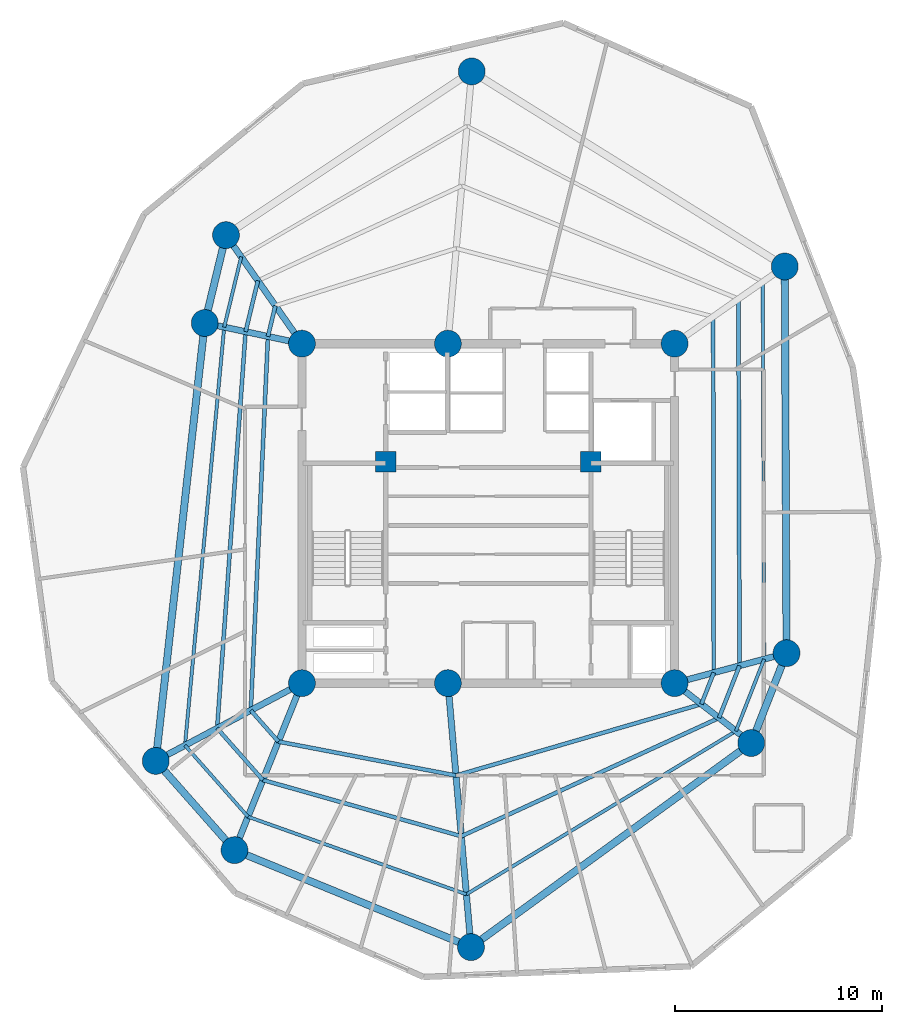
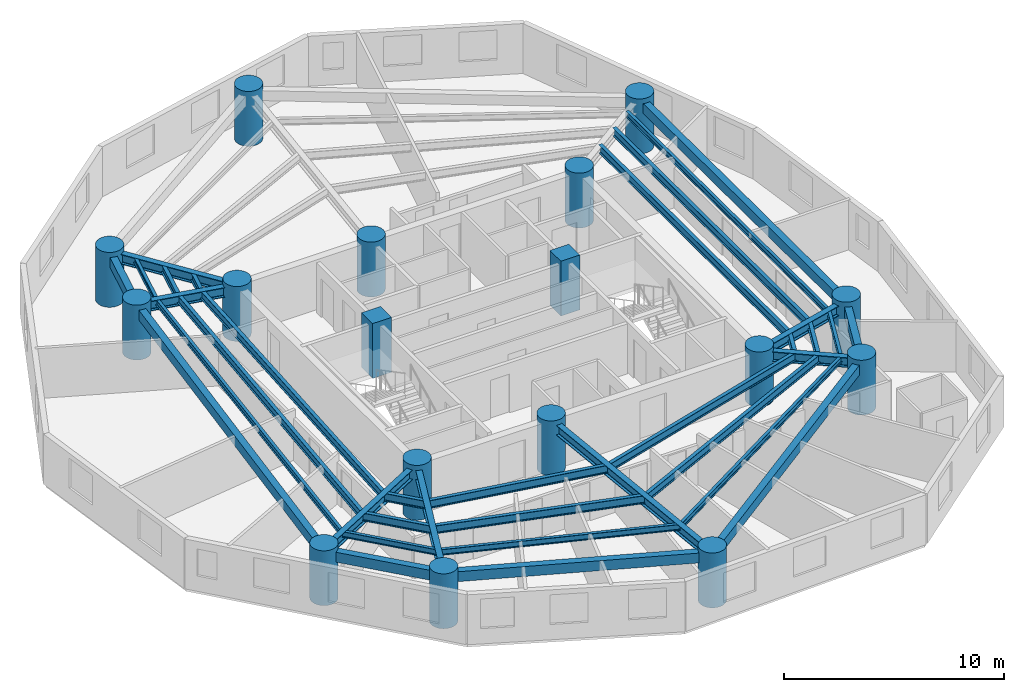
# One storey, part 1 of 7: 35 beams, 17 columns.
"""IFC4 building model written with IfcOpenShell, lengths in metres."""

import ifcopenshell
import ifcopenshell.guid

model = None  # the IFC model being written
_history = None  # IfcOwnerHistory: only IFC2X3 demands one
_inside = {}  # id of a spatial element -> (the spatial element, [elements in it])
_under = {}  # id of a project, library or spatial element -> (it, [spatial elements below it])
_declared = {}  # id of a project -> (the project, [libraries it declares])
_typed = {}  # id of a type object -> (the type object, [elements of that type])
_made_of = {}  # id of a material, layer set ... -> (it, [elements and type objects made of it])


def new_model(schema):
    """Start an empty IFC model of exactly this schema.

    Asked for "IFC4X3", IfcOpenShell would pick the latest addendum, in which some entities
    have other attributes; the version numbers below select the first issue.
    IFC2X3 requires an IfcOwnerHistory on every rooted entity: one is made here for all.
    """
    global model, _history
    if schema == "IFC4X3":
        model = ifcopenshell.file(schema_version=(4, 3, 0, 0))
    else:
        model = ifcopenshell.file(schema=schema)
    _inside.clear()
    _under.clear()
    _declared.clear()
    _typed.clear()
    _made_of.clear()
    _history = None
    if model.schema == "IFC2X3":
        org = make("IfcOrganization", Name="unknown")
        user = make(
            "IfcPersonAndOrganization",
            ThePerson=make("IfcPerson", FamilyName="unknown"),
            TheOrganization=org,
        )
        app = make(
            "IfcApplication",
            ApplicationDeveloper=org,
            Version="unknown",
            ApplicationFullName="unknown",
            ApplicationIdentifier="unknown",
        )
        _history = make(
            "IfcOwnerHistory",
            OwningUser=user,
            OwningApplication=app,
            ChangeAction="ADDED",
            CreationDate=0,
        )
    return model


def make(cls, **values):
    """One entity of the class cls with the attributes given. An attribute that is None is left unset."""
    return model.create_entity(
        cls, **{name: value for name, value in values.items() if value is not None}
    )


def rooted(cls, **values):
    """An entity with a GlobalId (a new one), such as an element, a storey or a relation."""
    return make(cls, GlobalId=ifcopenshell.guid.new(), OwnerHistory=_history, **values)


def si_unit(unit_type, name, prefix=None):
    """IfcSIUnit, for example si_unit("LENGTHUNIT", "METRE", prefix="MILLI")."""
    return make("IfcSIUnit", UnitType=unit_type, Prefix=prefix, Name=name)


def assignment(units):
    """IfcUnitAssignment: the units of a project."""
    return None if units is None else make("IfcUnitAssignment", Units=units)


def point(xyz):
    """IfcCartesianPoint."""
    return None if xyz is None else make("IfcCartesianPoint", Coordinates=xyz)


def direction(xyz):
    """IfcDirection."""
    return None if xyz is None else make("IfcDirection", DirectionRatios=xyz)


def frame(location, z_axis=None, x_axis=None):
    """IfcAxis2Placement3D, a coordinate frame: its origin and axes. An axis left out is left unset."""
    return make(
        "IfcAxis2Placement3D",
        Location=point(location),
        Axis=direction(z_axis),
        RefDirection=direction(x_axis),
    )


def frame_2d(location, x_axis=None):
    """IfcAxis2Placement2D, a coordinate frame in the plane: its origin and x axis."""
    return make(
        "IfcAxis2Placement2D", Location=point(location), RefDirection=direction(x_axis)
    )


def origin():
    """The frame at (0, 0, 0) with its axes left unset."""
    return frame((0.0, 0.0, 0.0))


def origin_with_axes():
    """The frame at (0, 0, 0) with the z axis (0, 0, 1) and the x axis (1, 0, 0) written out."""
    return frame((0.0, 0.0, 0.0), z_axis=(0.0, 0.0, 1.0), x_axis=(1.0, 0.0, 0.0))


def origin_2d():
    """The frame at (0, 0) in the plane with its x axis left unset."""
    return frame_2d((0.0, 0.0))


def place(relative_to, where):
    """IfcLocalPlacement: puts the frame where relative to a parent placement (None: the world)."""
    return make(
        "IfcLocalPlacement", PlacementRelTo=relative_to, RelativePlacement=where
    )


def context(
    kind, dimensions, precision=None, world=None, true_north=None, identifier=None
):
    """IfcGeometricRepresentationContext, for example the 3D "Model" context."""
    return make(
        "IfcGeometricRepresentationContext",
        ContextIdentifier=identifier,
        ContextType=kind,
        CoordinateSpaceDimension=dimensions,
        Precision=precision,
        WorldCoordinateSystem=world,
        TrueNorth=true_north,
    )


def subcontext(parent, identifier, kind, view, scale=None):
    """IfcGeometricRepresentationSubContext, for example "Body" below "Model"."""
    return make(
        "IfcGeometricRepresentationSubContext",
        ContextIdentifier=identifier,
        ContextType=kind,
        ParentContext=parent,
        TargetScale=scale,
        TargetView=view,
    )


def project(units=None, contexts=None):
    """IfcProject with its units and contexts."""
    return rooted(
        "IfcProject",
        Name="project",
        RepresentationContexts=contexts,
        UnitsInContext=assignment(units),
    )


def spatial(cls, under=None, at=None, **own):
    """A site, building, storey or space (cls), placed at a placement, below another one or the project."""
    s = rooted(cls, ObjectPlacement=at, **own)
    if under is not None:
        _under.setdefault(under.id(), (under, []))[1].append(s)
    return s


def profile(cls, at=None, kind="AREA", **sizes):
    """A parametric profile (cls). Its sizes go by their IFC names, for example OverallWidth=200.0."""
    return make(cls, ProfileType=kind, Position=at, **sizes)


def rectangle(**sizes):
    """IfcRectangleProfileDef."""
    return profile("IfcRectangleProfileDef", **sizes)


def circle(**sizes):
    """IfcCircleProfileDef."""
    return profile("IfcCircleProfileDef", **sizes)


def i_section(**sizes):
    """IfcIShapeProfileDef."""
    return profile("IfcIShapeProfileDef", **sizes)


def extrude(swept, where, along, depth):
    """IfcExtrudedAreaSolid: the profile swept, set in the frame where, extruded along a direction by depth."""
    return make(
        "IfcExtrudedAreaSolid",
        SweptArea=swept,
        Position=where,
        ExtrudedDirection=direction(along),
        Depth=depth,
    )


def shape(context_of_items, identifier, shape_type, items):
    """IfcShapeRepresentation: the items that make up one representation, for example the "Body"."""
    return make(
        "IfcShapeRepresentation",
        ContextOfItems=context_of_items,
        RepresentationIdentifier=identifier,
        RepresentationType=shape_type,
        Items=items,
    )


def source(mapping_origin, context_of_items, identifier, shape_type, items):
    """IfcRepresentationMap: a shape defined once, which mapped items show again and again."""
    return make(
        "IfcRepresentationMap",
        MappingOrigin=mapping_origin,
        MappedRepresentation=shape(context_of_items, identifier, shape_type, items),
    )


def transform(
    local_origin,
    x_axis=None,
    y_axis=None,
    z_axis=None,
    scale=None,
    scale2=None,
    scale3=None,
    uniform=True,
):
    """IfcCartesianTransformationOperator3D, or its non-uniform kind. x_axis, y_axis, z_axis: its Axis1, 2, 3."""
    if uniform:
        return make(
            "IfcCartesianTransformationOperator3D",
            Axis1=direction(x_axis),
            Axis2=direction(y_axis),
            LocalOrigin=point(local_origin),
            Scale=scale,
            Axis3=direction(z_axis),
        )
    return make(
        "IfcCartesianTransformationOperator3DnonUniform",
        Axis1=direction(x_axis),
        Axis2=direction(y_axis),
        LocalOrigin=point(local_origin),
        Scale=scale,
        Axis3=direction(z_axis),
        Scale2=scale2,
        Scale3=scale3,
    )


def mapped(mapping_source, mapping_target):
    """IfcMappedItem: shows the shape of a source again, moved by a transform."""
    return make(
        "IfcMappedItem", MappingSource=mapping_source, MappingTarget=mapping_target
    )


def material(Name=None, Category=None):
    """IfcMaterial."""
    return make("IfcMaterial", Name=Name, Category=Category)


def material_profile(
    of_material, cross_section, Name=None, Category=None, Priority=None
):
    """IfcMaterialProfile: a cross section and its material."""
    return make(
        "IfcMaterialProfile",
        Name=Name,
        Material=of_material,
        Profile=cross_section,
        Priority=Priority,
        Category=Category,
    )


def profile_set(profiles, Name=None, composite=None):
    """IfcMaterialProfileSet."""
    return make(
        "IfcMaterialProfileSet",
        Name=Name,
        MaterialProfiles=profiles,
        CompositeProfile=composite,
    )


def made_of(thing, what):
    """Note that an element or type object is made of a material, layer set ...; save() writes the relation."""
    if what is not None:
        _made_of.setdefault(what.id(), (what, []))[1].append(thing)
    return thing


def type_object(cls, material=None, **own):
    """A type object (cls), such as IfcWallType, which elements share."""
    return made_of(rooted(cls, **own), material)


def element(
    cls,
    number,
    at=None,
    inside=None,
    cuts=None,
    type_object=None,
    material=None,
    context=None,
    identifier="Body",
    shape_type=None,
    held_by="IfcProductDefinitionShape",
    body=None,
    shapes=None,
    **own,
):
    """One element of the class cls, such as IfcWall. Its Tag is "e" and its number.

    at: its placement. inside: the storey or other place that contains it. cuts: it is an
    opening in that element (IfcRelVoidsElement). A single representation is given by context,
    identifier, shape_type and body (its items); several are given by shapes. held_by: the class
    of the entity that holds the representations. save() writes the other relations.
    """
    e = rooted(cls, Tag="e%d" % number, ObjectPlacement=at, **own)
    if body is not None:
        shapes = [shape(context, identifier, shape_type, body)]
    if shapes is not None:
        e.Representation = make(held_by, Representations=shapes)
    if inside is not None:
        _inside.setdefault(inside.id(), (inside, []))[1].append(e)
    if cuts is not None:
        rooted(
            "IfcRelVoidsElement", RelatingBuildingElement=cuts, RelatedOpeningElement=e
        )
    if type_object is not None:
        _typed.setdefault(type_object.id(), (type_object, []))[1].append(e)
    return made_of(e, material)


def aggregate(whole, parts):
    """IfcRelAggregates: a whole, such as a stair, and the parts it consists of."""
    return rooted("IfcRelAggregates", RelatingObject=whole, RelatedObjects=parts)


def save(model, path):
    """Write the relations noted so far, then the file.

    IfcRelAggregates (storeys below a building ...), IfcRelContainedInSpatialStructure (elements
    in a storey), IfcRelDefinesByType, IfcRelAssociatesMaterial and IfcRelDeclares: one each for
    every whole, place, type object, material and project.
    """
    for whole, parts in _under.values():
        aggregate(whole, parts)
    for where, things in _inside.values():
        rooted(
            "IfcRelContainedInSpatialStructure",
            RelatedElements=things,
            RelatingStructure=where,
        )
    for kind, things in _typed.values():
        rooted("IfcRelDefinesByType", RelatedObjects=things, RelatingType=kind)
    for what, things in _made_of.values():
        rooted("IfcRelAssociatesMaterial", RelatedObjects=things, RelatingMaterial=what)
    for by, libraries in _declared.values():
        rooted("IfcRelDeclares", RelatingContext=by, RelatedDefinitions=libraries)
    model.write(path)


model = new_model("IFC4")

# Units and contexts
model_context = context("Model", 3, precision=1e-05, world=origin(), true_north=direction((0.0, 1.0)))
body_context = subcontext(model_context, "Body", "Model", "MODEL_VIEW")
ifc_project = project(units=[si_unit("LENGTHUNIT", "METRE"), si_unit("AREAUNIT", "SQUARE_METRE"), si_unit("VOLUMEUNIT", "CUBIC_METRE"), si_unit("PLANEANGLEUNIT", "RADIAN"), si_unit("MASSUNIT", "GRAM", prefix="KILO")], contexts=[model_context])

# Site, building, storey
site_placement = place(None, origin())
site = spatial("IfcSite", under=ifc_project, at=site_placement, CompositionType="ELEMENT")
building_placement = place(site_placement, origin())
building = spatial("IfcBuilding", under=site, at=building_placement, Name="Karkom Vertical University and Central Library", CompositionType="ELEMENT")
storey_placement = place(building_placement, frame((0.0, 0.0, 205.35009765625)))
storey = spatial("IfcBuildingStorey", under=building, at=storey_placement, Name="L60", CompositionType="ELEMENT", Elevation=205.35009765625)

# Columns
ifc_material_1 = material(Name="Concrete C50/60", Category="concrete")
ifc_material_profile_1 = material_profile(ifc_material_1, circle(Radius=0.64990234375, at=origin_2d()), Name="CFT-D1300")
ifc_profile_set_1 = profile_set([ifc_material_profile_1], Name="Concrete C50/60")
column_type_1 = type_object("IfcColumnType", Name="STR-COL-C-SC4", PredefinedType="COLUMN", material=ifc_profile_set_1)
shared_shape_1 = source(origin_with_axes(), body_context, "Body", "SweptSolid", [
    extrude(circle(Radius=0.64990234375, at=origin_2d()), origin(), (0.0, 0.0, 1.0), 3.0498046875),
])
for number, where, z_axis, x_axis, name in (
    (1, (19.5, 18.300048828125, 0.0), (0.0, 0.0, 1.0), (1.0, 0.0, 0.0), "Level 60 Spine Mega-Column SC-1"),
    (2, (26.550048828125, 18.300048828125, 0.0), (0.0, 0.0, 1.0), (1.0, 0.0, 0.0), "Level 60 Spine Mega-Column SC-2"),
    (3, (37.5, 18.300048828125, 0.0), (0.0, 0.0, 1.0), (1.0, 0.0, 0.0), "Level 60 Spine Mega-Column SC-3"),
    (4, (19.5, 34.699951171875, 0.0), (0.0, 0.0, 1.0), (1.0, 0.0, 0.0), "Level 60 Spine Mega-Column SC-4"),
    (5, (26.550048828125, 34.699951171875, 0.0), (0.0, 0.0, 1.0), (1.0, 0.0, 0.0), "Level 60 Spine Mega-Column SC-5"),
    (6, (37.5, 34.699951171875, 0.0), (0.0, 0.0, 1.0), (1.0, 0.0, 0.0), "Level 60 Spine Mega-Column SC-6"),
    (7, (42.908935546875, 19.7490234375, 0.0), (0.0, 0.0, 1.0), (1.0, 0.0, 0.0), "Level 60 Perimeter Mega-Column Z3-PC1"),
    (8, (42.823974609375, 38.427978515625, 0.0), (0.0, 0.0, 1.0), (1.0, 0.0, 0.0), "Level 60 Perimeter Mega-Column Z3-PC2"),
    (9, (27.699951171875, 47.85009765625, 0.0), (0.0, 0.0, 1.0), (1.0, 0.0, 0.0), "Level 60 Perimeter Mega-Column Z3-PC3"),
    (10, (15.8291015625, 39.943115234375, 0.0), (0.0, 0.0, 1.0), (1.0, 0.0, 0.0), "Level 60 Perimeter Mega-Column Z3-PC4"),
    (11, (14.804931640625, 35.697998046875, 0.0), (0.0, 0.0, 1.0), (1.0, 0.0, 0.0), "Level 60 Perimeter Mega-Column Z3-PC5"),
    (12, (12.43603515625, 14.5439453125, 0.0), (0.0, 0.0, 1.0), (1.0, 0.0, 0.0), "Level 60 Perimeter Mega-Column Z3-PC6"),
    (13, (16.240966796875, 10.23388671875, 0.0), (0.0, 0.0, 1.0), (1.0, 0.0, 0.0), "Level 60 Perimeter Mega-Column Z3-PC7"),
    (14, (27.666015625, 5.549072265625, 0.0), (0.0, 0.0, 1.0), (1.0, 0.0, 0.0), "Level 60 Perimeter Mega-Column Z3-PC8"),
    (15, (41.2041015625, 15.406005859375, 0.0), (0.0, 0.0, 1.0), (1.0, 0.0, 0.0), "Level 60 Perimeter Mega-Column Z3-PC9"),
):
    element("IfcColumn", number, at=place(storey_placement, frame(where, z_axis=z_axis, x_axis=x_axis)), inside=storey, type_object=column_type_1, Name=name, PredefinedType="COLUMN", context=body_context, shape_type="MappedRepresentation", body=[
        mapped(shared_shape_1, transform((0.0, 0.0, 0.0), scale=1.0)),
    ])
ifc_material_profile_2 = material_profile(ifc_material_1, rectangle(XDim=1.0, YDim=1.0, at=origin_2d()), Name="RC-1000x1000")
ifc_profile_set_2 = profile_set([ifc_material_profile_2], Name="Concrete C50/60")
column_type_2 = type_object("IfcColumnType", Name="STR-COL-C-CC2", PredefinedType="COLUMN", material=ifc_profile_set_2)
shared_shape_2 = source(origin_with_axes(), body_context, "Body", "SweptSolid", [
    extrude(rectangle(XDim=1.0, YDim=1.0, at=origin_2d()), origin(), (0.0, 0.0, 1.0), 3.0498046875),
])
for number, where, z_axis, x_axis, name in (
    (16, (23.550048828125, 29.0, 0.0), (0.0, 0.0, 1.0), (1.0, 0.0, 0.0), "Level 60 Core Node Column CC-1"),
    (17, (33.449951171875, 29.0, 0.0), (0.0, 0.0, 1.0), (1.0, 0.0, 0.0), "Level 60 Core Node Column CC-2"),
):
    element("IfcColumn", number, at=place(storey_placement, frame(where, z_axis=z_axis, x_axis=x_axis)), inside=storey, type_object=column_type_2, Name=name, PredefinedType="COLUMN", context=body_context, shape_type="MappedRepresentation", body=[
        mapped(shared_shape_2, transform((0.0, 0.0, 0.0), scale=1.0)),
    ])

# Beams
ifc_material_2 = material(Name="Precast concrete C45/55", Category="concrete")
ifc_material_profile_3 = material_profile(ifc_material_2, rectangle(XDim=0.35009765625, YDim=0.550048828125, at=origin_2d()), Name="SPB-350x550")
ifc_profile_set_3 = profile_set([ifc_material_profile_3], Name="Precast concrete C45/55")
beam_type_1 = type_object("IfcBeamType", Name="STR-BM-SP-2", PredefinedType="SPANDREL", material=ifc_profile_set_3)
shared_shape_3 = source(origin_with_axes(), body_context, "Body", "SweptSolid", [
    extrude(rectangle(XDim=0.35009765625, YDim=0.550048828125, at=origin_2d()), origin(), (0.0, 0.0, 1.0), 18.67919921875),
])
beam_1_placement = place(storey_placement, frame((42.908935546875, 19.7490234375, 2.5), z_axis=(-0.004548437442, 0.999989655805, 0.0), x_axis=(-0.999989655805, -0.004548437442, 0.0)))
element("IfcBeam", 18, at=beam_1_placement, inside=storey, type_object=beam_type_1, Name="Level 60 Perimeter Spandrel Beam 01", PredefinedType="SPANDREL", context=body_context, shape_type="MappedRepresentation", body=[
    mapped(shared_shape_3, transform((0.0, 0.0, 0.0), scale=1.0)),
])
shared_shape_4 = source(origin_with_axes(), body_context, "Body", "SweptSolid", [
    extrude(rectangle(XDim=0.35009765625, YDim=0.550048828125, at=origin_2d()), origin(), (0.0, 0.0, 1.0), 4.366943359375),
])
beam_2_placement = place(storey_placement, frame((15.8291015625, 39.943115234375, 2.5), z_axis=(-0.234529408772, -0.972109024966, 0.0), x_axis=(0.972109024966, -0.234529408772, 0.0)))
element("IfcBeam", 19, at=beam_2_placement, inside=storey, type_object=beam_type_1, Name="Level 60 Perimeter Spandrel Beam 04", PredefinedType="SPANDREL", context=body_context, shape_type="MappedRepresentation", body=[
    mapped(shared_shape_4, transform((0.0, 0.0, 0.0), scale=1.0)),
])
shared_shape_5 = source(origin_with_axes(), body_context, "Body", "SweptSolid", [
    extrude(rectangle(XDim=0.35009765625, YDim=0.550048828125, at=origin_2d()), origin(), (0.0, 0.0, 1.0), 21.286376953125),
])
beam_3_placement = place(storey_placement, frame((14.804931640625, 35.697998046875, 2.5), z_axis=(-0.111287493264, -0.993788254028, 0.0), x_axis=(0.993788254028, -0.111287493264, 0.0)))
element("IfcBeam", 20, at=beam_3_placement, inside=storey, type_object=beam_type_1, Name="Level 60 Perimeter Spandrel Beam 05", PredefinedType="SPANDREL", context=body_context, shape_type="MappedRepresentation", body=[
    mapped(shared_shape_5, transform((0.0, 0.0, 0.0), scale=1.0)),
])
shared_shape_6 = source(origin_with_axes(), body_context, "Body", "SweptSolid", [
    extrude(rectangle(XDim=0.35009765625, YDim=0.550048828125, at=origin_2d()), origin(), (0.0, 0.0, 1.0), 5.749267578125),
])
beam_4_placement = place(storey_placement, frame((12.43603515625, 14.5439453125, 2.5), z_axis=(0.661811219671, -0.74967053398, 0.0), x_axis=(0.74967053398, 0.661811219671, 0.0)))
element("IfcBeam", 21, at=beam_4_placement, inside=storey, type_object=beam_type_1, Name="Level 60 Perimeter Spandrel Beam 06", PredefinedType="SPANDREL", context=body_context, shape_type="MappedRepresentation", body=[
    mapped(shared_shape_6, transform((0.0, 0.0, 0.0), scale=1.0)),
])
shared_shape_7 = source(origin_with_axes(), body_context, "Body", "SweptSolid", [
    extrude(rectangle(XDim=0.35009765625, YDim=0.550048828125, at=origin_2d()), origin(), (0.0, 0.0, 1.0), 12.34814453125),
])
beam_5_placement = place(storey_placement, frame((16.240966796875, 10.23388671875, 2.5), z_axis=(0.925236428984, -0.37939102583, 0.0), x_axis=(0.37939102583, 0.925236428984, 0.0)))
element("IfcBeam", 22, at=beam_5_placement, inside=storey, type_object=beam_type_1, Name="Level 60 Perimeter Spandrel Beam 07", PredefinedType="SPANDREL", context=body_context, shape_type="MappedRepresentation", body=[
    mapped(shared_shape_7, transform((0.0, 0.0, 0.0), scale=1.0)),
])
shared_shape_8 = source(origin_with_axes(), body_context, "Body", "SweptSolid", [
    extrude(rectangle(XDim=0.35009765625, YDim=0.550048828125, at=origin_2d()), origin(), (0.0, 0.0, 1.0), 16.746337890625),
])
beam_6_placement = place(storey_placement, frame((27.666015625, 5.549072265625, 2.5), z_axis=(0.808422013284, 0.588603303115, 0.0), x_axis=(-0.588603303115, 0.808422013284, 0.0)))
element("IfcBeam", 23, at=beam_6_placement, inside=storey, type_object=beam_type_1, Name="Level 60 Perimeter Spandrel Beam 08", PredefinedType="SPANDREL", context=body_context, shape_type="MappedRepresentation", body=[
    mapped(shared_shape_8, transform((0.0, 0.0, 0.0), scale=1.0)),
])
shared_shape_9 = source(origin_with_axes(), body_context, "Body", "SweptSolid", [
    extrude(rectangle(XDim=0.35009765625, YDim=0.550048828125, at=origin_2d()), origin(), (0.0, 0.0, 1.0), 4.66552734375),
])
beam_7_placement = place(storey_placement, frame((41.2041015625, 15.406005859375, 2.5), z_axis=(0.365401419454, 0.930850043058, 0.0), x_axis=(-0.930850043058, 0.365401419454, 0.0)))
element("IfcBeam", 24, at=beam_7_placement, inside=storey, type_object=beam_type_1, Name="Level 60 Perimeter Spandrel Beam 09", PredefinedType="SPANDREL", context=body_context, shape_type="MappedRepresentation", body=[
    mapped(shared_shape_9, transform((0.0, 0.0, 0.0), scale=1.0)),
])
ifc_material_3 = material(Name="Steel S355", Category="steel")
ifc_material_profile_4 = material_profile(ifc_material_3, i_section(OverallWidth=0.18994140625, OverallDepth=0.449951171875, WebThickness=0.009521484375, FlangeThickness=0.0146484375, FilletRadius=0.02099609375, at=origin_2d()), Name="IPE 450")
ifc_profile_set_4 = profile_set([ifc_material_profile_4], Name="Steel S355")
beam_type_2 = type_object("IfcBeamType", Name="STR-BM-SB-IPE450", PredefinedType="BEAM", material=ifc_profile_set_4)
shared_shape_10 = source(origin_with_axes(), body_context, "Body", "SweptSolid", [
    extrude(i_section(OverallWidth=0.18994140625, OverallDepth=0.449951171875, WebThickness=0.009521484375, FlangeThickness=0.0146484375, FilletRadius=0.02099609375, at=origin_2d()), origin(), (0.0, 0.0, 1.0), 17.19775390625),
])
beam_8_placement = place(storey_placement, frame((39.39306640625, 18.80712890625, 2.5498046875), z_axis=(-0.001731918699, 0.999998500228, 0.0), x_axis=(-0.999998500228, -0.001731918699, 0.0)))
element("IfcBeam", 25, at=beam_8_placement, inside=storey, type_object=beam_type_2, Name="Level 60 Secondary Composite Floor Beam 1.01", PredefinedType="BEAM", context=body_context, shape_type="MappedRepresentation", body=[
    mapped(shared_shape_10, transform((0.0, 0.0, 0.0), scale=1.0)),
])
shared_shape_11 = source(origin_with_axes(), body_context, "Body", "SweptSolid", [
    extrude(i_section(OverallWidth=0.18994140625, OverallDepth=0.449951171875, WebThickness=0.009521484375, FlangeThickness=0.0146484375, FilletRadius=0.02099609375, at=origin_2d()), origin(), (0.0, 0.0, 1.0), 1.5283203125),
])
beam_9_placement = place(storey_placement, frame((18.215087890625, 36.534912109375, 2.5498046875), z_axis=(-0.234520804587, -0.972111100757, 0.0), x_axis=(0.972111100757, -0.234520804587, 0.0)))
element("IfcBeam", 26, at=beam_9_placement, inside=storey, type_object=beam_type_2, Name="Level 60 Secondary Composite Floor Beam 1.04", PredefinedType="BEAM", context=body_context, shape_type="MappedRepresentation", body=[
    mapped(shared_shape_11, transform((0.0, 0.0, 0.0), scale=1.0)),
])
shared_shape_12 = source(origin_with_axes(), body_context, "Body", "SweptSolid", [
    extrude(i_section(OverallWidth=0.18994140625, OverallDepth=0.449951171875, WebThickness=0.009521484375, FlangeThickness=0.0146484375, FilletRadius=0.02099609375, at=origin_2d()), origin(), (0.0, 0.0, 1.0), 18.0830078125),
])
beam_10_placement = place(storey_placement, frame((17.856689453125, 35.04931640625, 2.5498046875), z_axis=(-0.04584982532, -0.998948343769, 0.0), x_axis=(0.998948343769, -0.04584982532, 0.0)))
element("IfcBeam", 27, at=beam_10_placement, inside=storey, type_object=beam_type_2, Name="Level 60 Secondary Composite Floor Beam 1.05", PredefinedType="BEAM", context=body_context, shape_type="MappedRepresentation", body=[
    mapped(shared_shape_12, transform((0.0, 0.0, 0.0), scale=1.0)),
])
shared_shape_13 = source(origin_with_axes(), body_context, "Body", "SweptSolid", [
    extrude(i_section(OverallWidth=0.18994140625, OverallDepth=0.449951171875, WebThickness=0.009521484375, FlangeThickness=0.0146484375, FilletRadius=0.02099609375, at=origin_2d()), origin(), (0.0, 0.0, 1.0), 2.01220703125),
])
beam_11_placement = place(storey_placement, frame((17.027587890625, 16.9853515625, 2.5498046875), z_axis=(0.661822246424, -0.749660799387, 0.0), x_axis=(0.749660799387, 0.661822246424, 0.0)))
element("IfcBeam", 28, at=beam_11_placement, inside=storey, type_object=beam_type_2, Name="Level 60 Secondary Composite Floor Beam 1.06", PredefinedType="BEAM", context=body_context, shape_type="MappedRepresentation", body=[
    mapped(shared_shape_13, transform((0.0, 0.0, 0.0), scale=1.0)),
])
shared_shape_14 = source(origin_with_axes(), body_context, "Body", "SweptSolid", [
    extrude(i_section(OverallWidth=0.18994140625, OverallDepth=0.449951171875, WebThickness=0.009521484375, FlangeThickness=0.0146484375, FilletRadius=0.02099609375, at=origin_2d()), origin(), (0.0, 0.0, 1.0), 8.736572265625),
])
beam_12_placement = place(storey_placement, frame((18.359375, 15.476806640625, 2.5498046875), z_axis=(0.982230782932, -0.187677087205, 0.0), x_axis=(0.187677087205, 0.982230782932, 0.0)))
element("IfcBeam", 29, at=beam_12_placement, inside=storey, type_object=beam_type_2, Name="Level 60 Secondary Composite Floor Beam 1.07", PredefinedType="BEAM", context=body_context, shape_type="MappedRepresentation", body=[
    mapped(shared_shape_14, transform((0.0, 0.0, 0.0), scale=1.0)),
])
shared_shape_15 = source(origin_with_axes(), body_context, "Body", "SweptSolid", [
    extrude(i_section(OverallWidth=0.18994140625, OverallDepth=0.449951171875, WebThickness=0.009521484375, FlangeThickness=0.0146484375, FilletRadius=0.02099609375, at=origin_2d()), origin(), (0.0, 0.0, 1.0), 12.347412109375),
])
beam_13_placement = place(storey_placement, frame((26.940673828125, 13.837158203125, 2.5498046875), z_axis=(0.960173212987, 0.279405442077, 0.0), x_axis=(-0.279405442077, 0.960173212987, 0.0)))
element("IfcBeam", 30, at=beam_13_placement, inside=storey, type_object=beam_type_2, Name="Level 60 Secondary Composite Floor Beam 1.08", PredefinedType="BEAM", context=body_context, shape_type="MappedRepresentation", body=[
    mapped(shared_shape_15, transform((0.0, 0.0, 0.0), scale=1.0)),
])
shared_shape_16 = source(origin_with_axes(), body_context, "Body", "SweptSolid", [
    extrude(i_section(OverallWidth=0.18994140625, OverallDepth=0.449951171875, WebThickness=0.009521484375, FlangeThickness=0.0146484375, FilletRadius=0.02099609375, at=origin_2d()), origin(), (0.0, 0.0, 1.0), 1.633056640625),
])
beam_14_placement = place(storey_placement, frame((38.79638671875, 17.287109375, 2.5498046875), z_axis=(0.365402570083, 0.930849591382, 0.0), x_axis=(-0.930849591382, 0.365402570083, 0.0)))
element("IfcBeam", 31, at=beam_14_placement, inside=storey, type_object=beam_type_2, Name="Level 60 Secondary Composite Floor Beam 1.09", PredefinedType="BEAM", context=body_context, shape_type="MappedRepresentation", body=[
    mapped(shared_shape_16, transform((0.0, 0.0, 0.0), scale=1.0)),
])
shared_shape_17 = source(origin_with_axes(), body_context, "Body", "SweptSolid", [
    extrude(i_section(OverallWidth=0.18994140625, OverallDepth=0.449951171875, WebThickness=0.009521484375, FlangeThickness=0.0146484375, FilletRadius=0.02099609375, at=origin_2d()), origin(), (0.0, 0.0, 1.0), 17.721923828125),
])
beam_15_placement = place(storey_placement, frame((40.63720703125, 19.140380859375, 2.5498046875), z_axis=(-0.002782780006, 0.99999612806, 0.0), x_axis=(-0.99999612806, -0.002782780006, 0.0)))
element("IfcBeam", 32, at=beam_15_placement, inside=storey, type_object=beam_type_2, Name="Level 60 Secondary Composite Floor Beam 2.01", PredefinedType="BEAM", context=body_context, shape_type="MappedRepresentation", body=[
    mapped(shared_shape_17, transform((0.0, 0.0, 0.0), scale=1.0)),
])
shared_shape_18 = source(origin_with_axes(), body_context, "Body", "SweptSolid", [
    extrude(i_section(OverallWidth=0.18994140625, OverallDepth=0.449951171875, WebThickness=0.009521484375, FlangeThickness=0.0146484375, FilletRadius=0.02099609375, at=origin_2d()), origin(), (0.0, 0.0, 1.0), 2.53271484375),
])
beam_16_placement = place(storey_placement, frame((17.370849609375, 37.740966796875, 2.5498046875), z_axis=(-0.234521178828, -0.972111010472, 0.0), x_axis=(0.972111010472, -0.234521178828, 0.0)))
element("IfcBeam", 33, at=beam_16_placement, inside=storey, type_object=beam_type_2, Name="Level 60 Secondary Composite Floor Beam 2.04", PredefinedType="BEAM", context=body_context, shape_type="MappedRepresentation", body=[
    mapped(shared_shape_18, transform((0.0, 0.0, 0.0), scale=1.0)),
])
shared_shape_19 = source(origin_with_axes(), body_context, "Body", "SweptSolid", [
    extrude(i_section(OverallWidth=0.18994140625, OverallDepth=0.449951171875, WebThickness=0.009521484375, FlangeThickness=0.0146484375, FilletRadius=0.02099609375, at=origin_2d()), origin(), (0.0, 0.0, 1.0), 19.20654296875),
])
beam_17_placement = place(storey_placement, frame((16.77685546875, 35.27880859375, 2.5498046875), z_axis=(-0.071539731632, -0.997437750839, 0.0), x_axis=(0.997437750839, -0.071539731632, 0.0)))
element("IfcBeam", 34, at=beam_17_placement, inside=storey, type_object=beam_type_2, Name="Level 60 Secondary Composite Floor Beam 2.05", PredefinedType="BEAM", context=body_context, shape_type="MappedRepresentation", body=[
    mapped(shared_shape_19, transform((0.0, 0.0, 0.0), scale=1.0)),
])
shared_shape_20 = source(origin_with_axes(), body_context, "Body", "SweptSolid", [
    extrude(i_section(OverallWidth=0.18994140625, OverallDepth=0.449951171875, WebThickness=0.009521484375, FlangeThickness=0.0146484375, FilletRadius=0.02099609375, at=origin_2d()), origin(), (0.0, 0.0, 1.0), 3.334716796875),
])
beam_18_placement = place(storey_placement, frame((15.40283203125, 16.12158203125, 2.5498046875), z_axis=(0.661815321502, -0.749666912852, 0.0), x_axis=(0.749666912852, 0.661815321502, 0.0)))
element("IfcBeam", 35, at=beam_18_placement, inside=storey, type_object=beam_type_2, Name="Level 60 Secondary Composite Floor Beam 2.06", PredefinedType="BEAM", context=body_context, shape_type="MappedRepresentation", body=[
    mapped(shared_shape_20, transform((0.0, 0.0, 0.0), scale=1.0)),
])
shared_shape_21 = source(origin_with_axes(), body_context, "Body", "SweptSolid", [
    extrude(i_section(OverallWidth=0.18994140625, OverallDepth=0.449951171875, WebThickness=0.009521484375, FlangeThickness=0.0146484375, FilletRadius=0.02099609375, at=origin_2d()), origin(), (0.0, 0.0, 1.0), 9.965087890625),
])
beam_19_placement = place(storey_placement, frame((17.60986328125, 13.62158203125, 2.5498046875), z_axis=(0.962104232935, -0.272681948372, 0.0), x_axis=(0.272681948372, 0.962104232935, 0.0)))
element("IfcBeam", 36, at=beam_19_placement, inside=storey, type_object=beam_type_2, Name="Level 60 Secondary Composite Floor Beam 2.07", PredefinedType="BEAM", context=body_context, shape_type="MappedRepresentation", body=[
    mapped(shared_shape_21, transform((0.0, 0.0, 0.0), scale=1.0)),
])
shared_shape_22 = source(origin_with_axes(), body_context, "Body", "SweptSolid", [
    extrude(i_section(OverallWidth=0.18994140625, OverallDepth=0.449951171875, WebThickness=0.009521484375, FlangeThickness=0.0146484375, FilletRadius=0.02099609375, at=origin_2d()), origin(), (0.0, 0.0, 1.0), 13.700927734375),
])
beam_20_placement = place(storey_placement, frame((27.197265625, 10.904296875, 2.5498046875), z_axis=(0.908771280691, 0.417294571486, 0.0), x_axis=(-0.417294571486, 0.908771280691, 0.0)))
element("IfcBeam", 37, at=beam_20_placement, inside=storey, type_object=beam_type_2, Name="Level 60 Secondary Composite Floor Beam 2.08", PredefinedType="BEAM", context=body_context, shape_type="MappedRepresentation", body=[
    mapped(shared_shape_22, transform((0.0, 0.0, 0.0), scale=1.0)),
])
shared_shape_23 = source(origin_with_axes(), body_context, "Body", "SweptSolid", [
    extrude(i_section(OverallWidth=0.18994140625, OverallDepth=0.449951171875, WebThickness=0.009521484375, FlangeThickness=0.0146484375, FilletRadius=0.02099609375, at=origin_2d()), origin(), (0.0, 0.0, 1.0), 2.7060546875),
])
beam_21_placement = place(storey_placement, frame((39.648193359375, 16.62158203125, 2.5498046875), z_axis=(0.365487674906, 0.930816179217, 0.0), x_axis=(-0.930816179217, 0.365487674906, 0.0)))
element("IfcBeam", 38, at=beam_21_placement, inside=storey, type_object=beam_type_2, Name="Level 60 Secondary Composite Floor Beam 2.09", PredefinedType="BEAM", context=body_context, shape_type="MappedRepresentation", body=[
    mapped(shared_shape_23, transform((0.0, 0.0, 0.0), scale=1.0)),
])
ifc_material_profile_5 = material_profile(ifc_material_3, i_section(OverallWidth=0.159912109375, OverallDepth=0.330078125, WebThickness=0.007568359375, FlangeThickness=0.011474609375, FilletRadius=0.01806640625, at=origin_2d()), Name="IPE 330")
ifc_profile_set_5 = profile_set([ifc_material_profile_5], Name="Steel S355")
beam_type_3 = type_object("IfcBeamType", Name="STR-BM-SB-IPE330", PredefinedType="BEAM", material=ifc_profile_set_5)
shared_shape_24 = source(origin_with_axes(), body_context, "Body", "SweptSolid", [
    extrude(i_section(OverallWidth=0.159912109375, OverallDepth=0.330078125, WebThickness=0.007568359375, FlangeThickness=0.011474609375, FilletRadius=0.01806640625, at=origin_2d()), origin(), (0.0, 0.0, 1.0), 18.223388671875),
])
beam_22_placement = place(storey_placement, frame((41.8271484375, 19.459228515625, 2.60986328125), z_axis=(-0.003724418851, 0.999993064328, 0.0), x_axis=(-0.999993064328, -0.003724418851, 0.0)))
element("IfcBeam", 39, at=beam_22_placement, inside=storey, type_object=beam_type_3, Name="Level 60 Secondary Composite Floor Beam 3.01", PredefinedType="BEAM", context=body_context, shape_type="MappedRepresentation", body=[
    mapped(shared_shape_24, transform((0.0, 0.0, 0.0), scale=1.0)),
])
shared_shape_25 = source(origin_with_axes(), body_context, "Body", "SweptSolid", [
    extrude(i_section(OverallWidth=0.159912109375, OverallDepth=0.330078125, WebThickness=0.007568359375, FlangeThickness=0.011474609375, FilletRadius=0.01806640625, at=origin_2d()), origin(), (0.0, 0.0, 1.0), 3.493408203125),
])
beam_23_placement = place(storey_placement, frame((16.563232421875, 38.894287109375, 2.60986328125), z_axis=(-0.234535781995, -0.972107487351, 0.0), x_axis=(0.972107487351, -0.234535781995, 0.0)))
element("IfcBeam", 40, at=beam_23_placement, inside=storey, type_object=beam_type_3, Name="Level 60 Secondary Composite Floor Beam 3.04", PredefinedType="BEAM", context=body_context, shape_type="MappedRepresentation", body=[
    mapped(shared_shape_25, transform((0.0, 0.0, 0.0), scale=1.0)),
])
shared_shape_26 = source(origin_with_axes(), body_context, "Body", "SweptSolid", [
    extrude(i_section(OverallWidth=0.159912109375, OverallDepth=0.330078125, WebThickness=0.007568359375, FlangeThickness=0.011474609375, FilletRadius=0.01806640625, at=origin_2d()), origin(), (0.0, 0.0, 1.0), 20.291748046875),
])
beam_24_placement = place(storey_placement, frame((15.743896484375, 35.498291015625, 2.60986328125), z_axis=(-0.093388415244, -0.995629752417, 0.0), x_axis=(0.995629752417, -0.093388415244, 0.0)))
element("IfcBeam", 41, at=beam_24_placement, inside=storey, type_object=beam_type_3, Name="Level 60 Secondary Composite Floor Beam 3.05", PredefinedType="BEAM", context=body_context, shape_type="MappedRepresentation", body=[
    mapped(shared_shape_26, transform((0.0, 0.0, 0.0), scale=1.0)),
])
shared_shape_27 = source(origin_with_axes(), body_context, "Body", "SweptSolid", [
    extrude(i_section(OverallWidth=0.159912109375, OverallDepth=0.330078125, WebThickness=0.007568359375, FlangeThickness=0.011474609375, FilletRadius=0.01806640625, at=origin_2d()), origin(), (0.0, 0.0, 1.0), 4.599365234375),
])
beam_25_placement = place(storey_placement, frame((13.848876953125, 15.295166015625, 2.60986328125), z_axis=(0.661816486801, -0.74966588411, 0.0), x_axis=(0.74966588411, 0.661816486801, 0.0)))
element("IfcBeam", 42, at=beam_25_placement, inside=storey, type_object=beam_type_3, Name="Level 60 Secondary Composite Floor Beam 3.06", PredefinedType="BEAM", context=body_context, shape_type="MappedRepresentation", body=[
    mapped(shared_shape_27, transform((0.0, 0.0, 0.0), scale=1.0)),
])
shared_shape_28 = source(origin_with_axes(), body_context, "Body", "SweptSolid", [
    extrude(i_section(OverallWidth=0.159912109375, OverallDepth=0.330078125, WebThickness=0.007568359375, FlangeThickness=0.011474609375, FilletRadius=0.01806640625, at=origin_2d()), origin(), (0.0, 0.0, 1.0), 11.196044921875),
])
beam_26_placement = place(storey_placement, frame((16.892822265625, 11.84716796875, 2.60986328125), z_axis=(0.942301538336, -0.334765307119, 0.0), x_axis=(0.334765307119, 0.942301538336, 0.0)))
element("IfcBeam", 43, at=beam_26_placement, inside=storey, type_object=beam_type_3, Name="Level 60 Secondary Composite Floor Beam 3.07", PredefinedType="BEAM", context=body_context, shape_type="MappedRepresentation", body=[
    mapped(shared_shape_28, transform((0.0, 0.0, 0.0), scale=1.0)),
])
shared_shape_29 = source(origin_with_axes(), body_context, "Body", "SweptSolid", [
    extrude(i_section(OverallWidth=0.159912109375, OverallDepth=0.330078125, WebThickness=0.007568359375, FlangeThickness=0.011474609375, FilletRadius=0.01806640625, at=origin_2d()), origin(), (0.0, 0.0, 1.0), 15.22216796875),
])
beam_27_placement = place(storey_placement, frame((27.44287109375, 8.09912109375, 2.60986328125), z_axis=(0.855352900974, 0.518045765155, 0.0), x_axis=(-0.518045765155, 0.855352900974, 0.0)))
element("IfcBeam", 44, at=beam_27_placement, inside=storey, type_object=beam_type_3, Name="Level 60 Secondary Composite Floor Beam 3.08", PredefinedType="BEAM", context=body_context, shape_type="MappedRepresentation", body=[
    mapped(shared_shape_29, transform((0.0, 0.0, 0.0), scale=1.0)),
])
shared_shape_30 = source(origin_with_axes(), body_context, "Body", "SweptSolid", [
    extrude(i_section(OverallWidth=0.159912109375, OverallDepth=0.330078125, WebThickness=0.007568359375, FlangeThickness=0.011474609375, FilletRadius=0.01806640625, at=origin_2d()), origin(), (0.0, 0.0, 1.0), 3.732421875),
])
beam_28_placement = place(storey_placement, frame((40.463134765625, 15.98486328125, 2.60986328125), z_axis=(0.365439874109, 0.930834946922, 0.0), x_axis=(-0.930834946922, 0.365439874109, 0.0)))
element("IfcBeam", 45, at=beam_28_placement, inside=storey, type_object=beam_type_3, Name="Level 60 Secondary Composite Floor Beam 3.09", PredefinedType="BEAM", context=body_context, shape_type="MappedRepresentation", body=[
    mapped(shared_shape_30, transform((0.0, 0.0, 0.0), scale=1.0)),
])
ifc_material_profile_6 = material_profile(ifc_material_3, i_section(OverallWidth=0.300048828125, OverallDepth=0.550048828125, WebThickness=0.014892578125, FlangeThickness=0.029052734375, FilletRadius=0.027099609375, at=origin_2d()), Name="HE 550 B")
ifc_profile_set_6 = profile_set([ifc_material_profile_6], Name="Steel S355")
beam_type_4 = type_object("IfcBeamType", Name="STR-BM-SB-HE550", PredefinedType="USERDEFINED", material=ifc_profile_set_6)
shared_shape_31 = source(origin_with_axes(), body_context, "Body", "SweptSolid", [
    extrude(i_section(OverallWidth=0.300048828125, OverallDepth=0.550048828125, WebThickness=0.014892578125, FlangeThickness=0.029052734375, FilletRadius=0.027099609375, at=origin_2d()), origin(), (0.0, 0.0, 1.0), 5.599609375),
])
beam_29_placement = place(storey_placement, frame((37.5, 18.300048828125, 2.5), z_axis=(0.965941240814, 0.258761510459, 0.0), x_axis=(-0.258761510459, 0.965941240814, 0.0)))
element("IfcBeam", 46, at=beam_29_placement, inside=storey, type_object=beam_type_4, Name="Level 60 Radial Frame Girder 01", ObjectType="GIRDER", PredefinedType="USERDEFINED", context=body_context, shape_type="MappedRepresentation", body=[
    mapped(shared_shape_31, transform((0.0, 0.0, 0.0), scale=1.0)),
])
shared_shape_32 = source(origin_with_axes(), body_context, "Body", "SweptSolid", [
    extrude(i_section(OverallWidth=0.300048828125, OverallDepth=0.550048828125, WebThickness=0.014892578125, FlangeThickness=0.029052734375, FilletRadius=0.027099609375, at=origin_2d()), origin(), (0.0, 0.0, 1.0), 6.400390625),
])
beam_30_placement = place(storey_placement, frame((19.5, 34.699951171875, 2.5), z_axis=(-0.573534022273, 0.81918174131, 0.0), x_axis=(-0.81918174131, -0.573534022273, 0.0)))
element("IfcBeam", 47, at=beam_30_placement, inside=storey, type_object=beam_type_4, Name="Level 60 Radial Frame Girder 04", ObjectType="GIRDER", PredefinedType="USERDEFINED", context=body_context, shape_type="MappedRepresentation", body=[
    mapped(shared_shape_32, transform((0.0, 0.0, 0.0), scale=1.0)),
])
shared_shape_33 = source(origin_with_axes(), body_context, "Body", "SweptSolid", [
    extrude(i_section(OverallWidth=0.300048828125, OverallDepth=0.550048828125, WebThickness=0.014892578125, FlangeThickness=0.029052734375, FilletRadius=0.027099609375, at=origin_2d()), origin(), (0.0, 0.0, 1.0), 4.800048828125),
])
beam_31_placement = place(storey_placement, frame((19.5, 34.699951171875, 2.5), z_axis=(-0.978144241295, 0.207927495108, 0.0), x_axis=(-0.207927495108, -0.978144241295, 0.0)))
element("IfcBeam", 48, at=beam_31_placement, inside=storey, type_object=beam_type_4, Name="Level 60 Radial Frame Girder 05", ObjectType="GIRDER", PredefinedType="USERDEFINED", context=body_context, shape_type="MappedRepresentation", body=[
    mapped(shared_shape_33, transform((0.0, 0.0, 0.0), scale=1.0)),
])
shared_shape_34 = source(origin_with_axes(), body_context, "Body", "SweptSolid", [
    extrude(i_section(OverallWidth=0.300048828125, OverallDepth=0.550048828125, WebThickness=0.014892578125, FlangeThickness=0.029052734375, FilletRadius=0.027099609375, at=origin_2d()), origin(), (0.0, 0.0, 1.0), 8.00048828125),
])
beam_32_placement = place(storey_placement, frame((19.5, 18.300048828125, 2.5), z_axis=(-0.882941023922, -0.46948391695, 0.0), x_axis=(0.46948391695, -0.882941023922, 0.0)))
element("IfcBeam", 49, at=beam_32_placement, inside=storey, type_object=beam_type_4, Name="Level 60 Radial Frame Girder 06", ObjectType="GIRDER", PredefinedType="USERDEFINED", context=body_context, shape_type="MappedRepresentation", body=[
    mapped(shared_shape_34, transform((0.0, 0.0, 0.0), scale=1.0)),
])
shared_shape_35 = source(origin_with_axes(), body_context, "Body", "SweptSolid", [
    extrude(i_section(OverallWidth=0.300048828125, OverallDepth=0.550048828125, WebThickness=0.014892578125, FlangeThickness=0.029052734375, FilletRadius=0.027099609375, at=origin_2d()), origin(), (0.0, 0.0, 1.0), 8.69970703125),
])
beam_33_placement = place(storey_placement, frame((19.5, 18.300048828125, 2.5), z_axis=(-0.374615701214, -0.927180174725, 0.0), x_axis=(0.927180174725, -0.374615701214, 0.0)))
element("IfcBeam", 50, at=beam_33_placement, inside=storey, type_object=beam_type_4, Name="Level 60 Radial Frame Girder 07", ObjectType="GIRDER", PredefinedType="USERDEFINED", context=body_context, shape_type="MappedRepresentation", body=[
    mapped(shared_shape_35, transform((0.0, 0.0, 0.0), scale=1.0)),
])
shared_shape_36 = source(origin_with_axes(), body_context, "Body", "SweptSolid", [
    extrude(i_section(OverallWidth=0.300048828125, OverallDepth=0.550048828125, WebThickness=0.014892578125, FlangeThickness=0.029052734375, FilletRadius=0.027099609375, at=origin_2d()), origin(), (0.0, 0.0, 1.0), 12.7998046875),
])
beam_34_placement = place(storey_placement, frame((26.550048828125, 18.300048828125, 2.5), z_axis=(0.087186825694, -0.996191978198, 0.0), x_axis=(0.996191978198, 0.087186825694, 0.0)))
element("IfcBeam", 51, at=beam_34_placement, inside=storey, type_object=beam_type_4, Name="Level 60 Radial Frame Girder 08", ObjectType="GIRDER", PredefinedType="USERDEFINED", context=body_context, shape_type="MappedRepresentation", body=[
    mapped(shared_shape_36, transform((0.0, 0.0, 0.0), scale=1.0)),
])
shared_shape_37 = source(origin_with_axes(), body_context, "Body", "SweptSolid", [
    extrude(i_section(OverallWidth=0.300048828125, OverallDepth=0.550048828125, WebThickness=0.014892578125, FlangeThickness=0.029052734375, FilletRadius=0.027099609375, at=origin_2d()), origin(), (0.0, 0.0, 1.0), 4.70068359375),
])
beam_35_placement = place(storey_placement, frame((37.5, 18.300048828125, 2.5), z_axis=(0.788002325582, -0.615672262553, 0.0), x_axis=(0.615672262553, 0.788002325582, 0.0)))
element("IfcBeam", 52, at=beam_35_placement, inside=storey, type_object=beam_type_4, Name="Level 60 Radial Frame Girder 09", ObjectType="GIRDER", PredefinedType="USERDEFINED", context=body_context, shape_type="MappedRepresentation", body=[
    mapped(shared_shape_37, transform((0.0, 0.0, 0.0), scale=1.0)),
])

save(model, "model.ifc")
